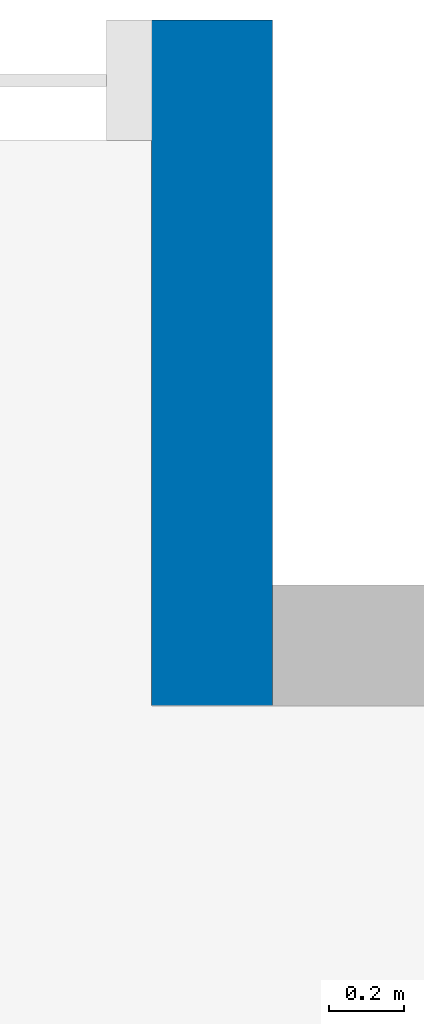
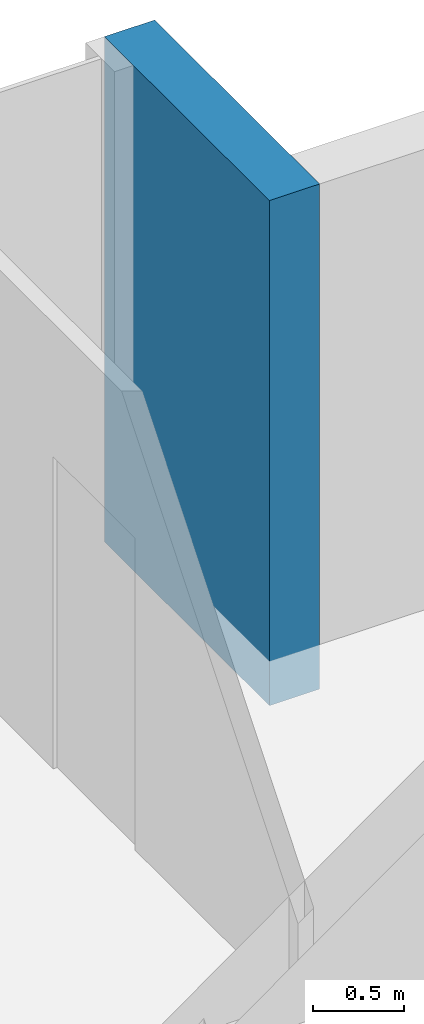
# One storey, part 13 of 20: 1 wall.
"""IFC4 building model written with IfcOpenShell, lengths in metres."""

from ifc_helpers import new_model, si_unit, direction, frame, frame_2d, origin, place, context, subcontext, project, spatial, rectangle, extrude, material, layer, layer_set, type_object, element, save


model = new_model("IFC4")

# Units and contexts
model_context = context("Model", 3, precision=1e-05, world=origin(), true_north=direction((0.0, 1.0)))
body_context = subcontext(model_context, "Body", "Model", "MODEL_VIEW")
ifc_project = project(units=[si_unit("LENGTHUNIT", "METRE"), si_unit("AREAUNIT", "SQUARE_METRE"), si_unit("VOLUMEUNIT", "CUBIC_METRE"), si_unit("PLANEANGLEUNIT", "RADIAN"), si_unit("MASSUNIT", "GRAM", prefix="KILO")], contexts=[model_context])

# Site, building, storey
site_placement = place(None, origin())
site = spatial("IfcSite", under=ifc_project, at=site_placement, CompositionType="ELEMENT")
building_placement = place(site_placement, origin())
building = spatial("IfcBuilding", under=site, at=building_placement, Name="Ipe Terrace Towers", CompositionType="ELEMENT")
storey_placement = place(building_placement, frame((0.0, 0.0, 167.699951171875)))
storey = spatial("IfcBuildingStorey", under=building, at=storey_placement, Name="L46", CompositionType="ELEMENT", Elevation=167.699951171875)

# Wall
ifc_material = material(Name="Concrete C40/50 with buff precast cladding", Category="concrete")
ifc_layer = layer(ifc_material, 0.320068359375)
ifc_layer_set = layer_set([ifc_layer], Name="BUFF CLADDING WALL 320")
wall_type = type_object("IfcWallType", Name="BUFF CLADDING WALL 320", PredefinedType="STANDARD", material=ifc_layer_set)
wall_placement = place(storey_placement, frame((39.909912109375, 23.25, -0.300048828125), z_axis=(0.0, 0.0, 1.0), x_axis=(0.0, 1.0, 0.0)))
element("IfcWall", 1, at=wall_placement, inside=storey, type_object=wall_type, Name="T2-W-L46-20a wall", PredefinedType="STANDARD", context=body_context, shape_type="SweptSolid", body=[
    extrude(rectangle(XDim=1.820068359375, YDim=0.320068359375, at=frame_2d((0.91015625, 0.0))), origin(), (0.0, 0.0, 1.0), 3.400146484375),
])

save(model, "model.ifc")
